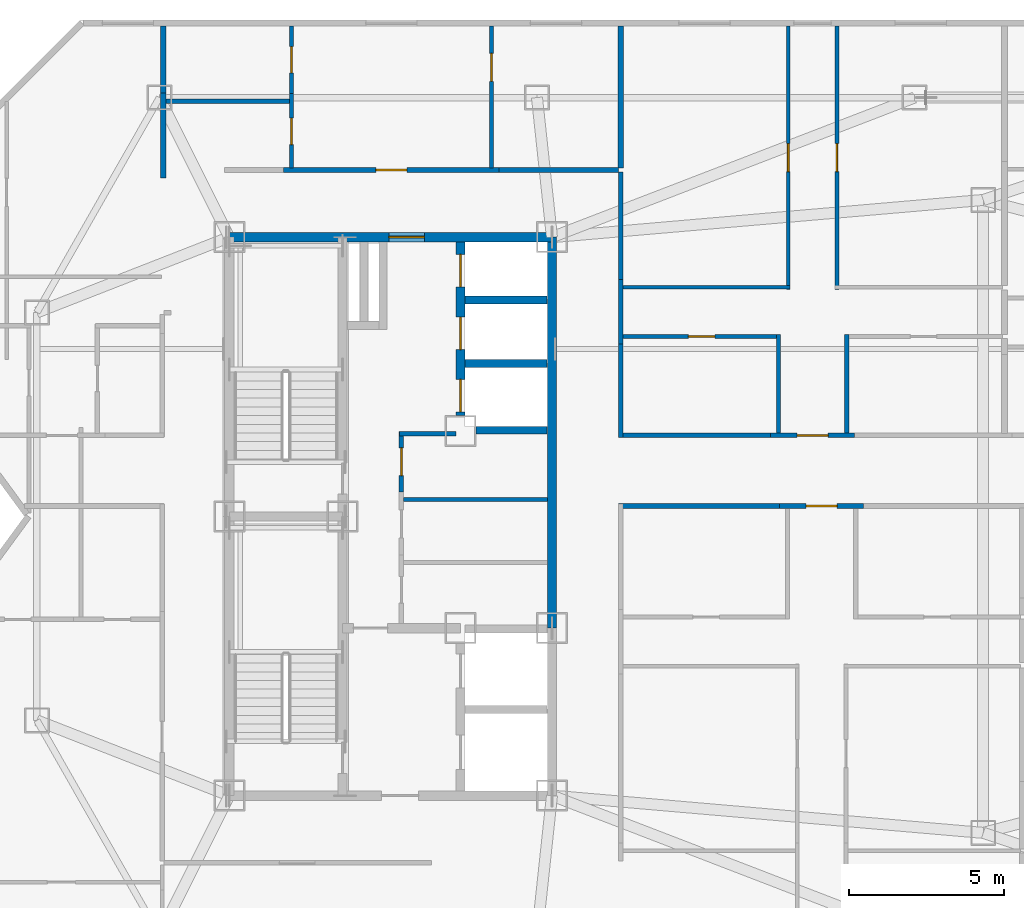
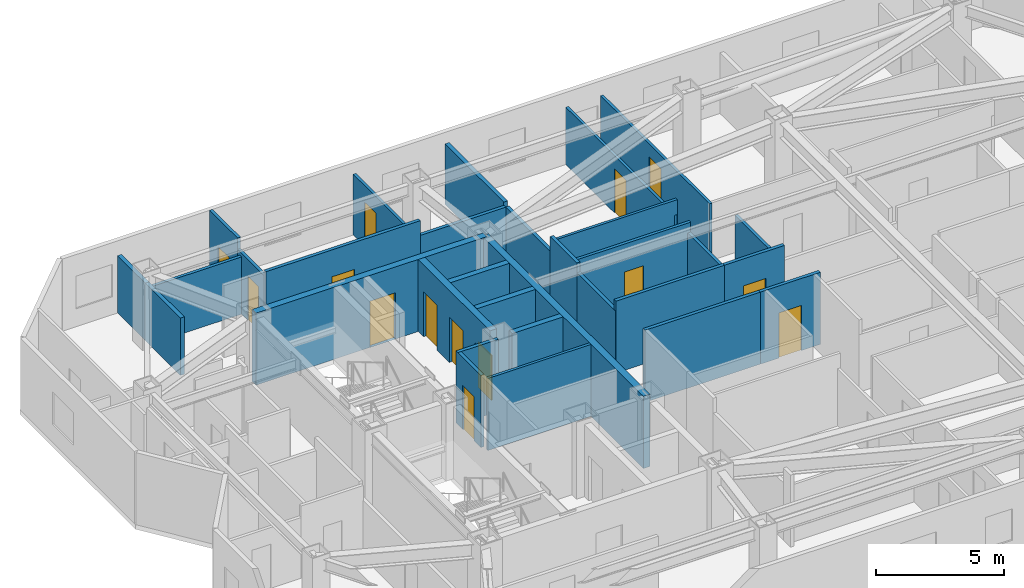
# One storey, part 6 of 10: 31 walls, 14 doors, 14 openings.
"""IFC4 building model written with IfcOpenShell, lengths in metres."""

from ifc_helpers import new_model, si_unit, direction, frame, frame_2d, origin, place, context, subcontext, project, spatial, rectangle, extrude, material, layer, layer_set, type_object, element, fill, save


model = new_model("IFC4")

# Units and contexts
model_context = context("Model", 3, precision=1e-05, world=origin(), true_north=direction((0.0, 1.0)))
body_context = subcontext(model_context, "Body", "Model", "MODEL_VIEW")
ifc_project = project(units=[si_unit("LENGTHUNIT", "METRE"), si_unit("AREAUNIT", "SQUARE_METRE"), si_unit("VOLUMEUNIT", "CUBIC_METRE"), si_unit("PLANEANGLEUNIT", "RADIAN"), si_unit("MASSUNIT", "GRAM", prefix="KILO")], contexts=[model_context])

# Site, building, storey
site_placement = place(None, origin())
site = spatial("IfcSite", under=ifc_project, at=site_placement, CompositionType="ELEMENT")
building_placement = place(site_placement, origin())
building = spatial("IfcBuilding", under=site, at=building_placement, Name="Khamvora Tower", CompositionType="ELEMENT")
storey_placement = place(building_placement, frame((0.0, 0.0, 250.050048828125)))
storey = spatial("IfcBuildingStorey", under=building, at=storey_placement, Name="L64", CompositionType="ELEMENT", Elevation=250.050048828125)

# Wall, opening, door
ifc_material_1 = material(Name="Concrete C50/60", Category="concrete")
ifc_layer_1 = layer(ifc_material_1, 0.300048828125)
ifc_layer_set_1 = layer_set([ifc_layer_1], Name="Concrete C50/60")
wall_type_1 = type_object("IfcWallType", Name="WAL-CORE-300", PredefinedType="SHEAR", material=ifc_layer_set_1)
wall_1_placement = place(storey_placement, frame((29.0, 37.0, 0.0), z_axis=(0.0, 0.0, 1.0), x_axis=(1.0, 0.0, 0.0)))
wall_1 = element("IfcWall", 1, at=wall_1_placement, inside=storey, type_object=wall_type_1, Name="L64 central core north wall", PredefinedType="SHEAR", context=body_context, shape_type="SweptSolid", body=[
    extrude(rectangle(XDim=10.39990234375, YDim=0.300048828125, at=frame_2d((5.199951171875, 0.0))), origin(), (0.0, 0.0, 1.0), 3.429931640625),
])
opening_1_placement = place(wall_1_placement, frame((5.139892578125, 0.0, 0.0)))
opening_1 = element("IfcOpeningElement", 2, at=opening_1_placement, cuts=wall_1, Name="Opening D-SC1", PredefinedType="OPENING", context=body_context, shape_type="SweptSolid", body=[
    extrude(rectangle(XDim=1.14990234375, YDim=2.199951171875, at=frame_2d((0.574951171875, 1.10009765625))), frame((0.0, 0.159912109375, 0.0), z_axis=(0.0, -1.0, 0.0), x_axis=(1.0, 0.0, 0.0)), (0.0, 0.0, 1.0), 0.320068359375),
])
ifc_material_2 = material(Name="Powder-Coated Steel and Hardwood Leaf", Category="steel")
door_type_1 = type_object("IfcDoorType", Name="DOR-SCHL-1150", OperationType="NOTDEFINED", PredefinedType="DOOR", material=ifc_material_2)
door_1_placement = place(opening_1_placement, origin())
door_1 = element("IfcDoor", 3, at=door_1_placement, inside=storey, type_object=door_type_1, Name="L64 north core lobby to corridor fire door", OperationType="SINGLE_SWING_LEFT", OverallHeight=2.199951171875, OverallWidth=1.14990234375, PredefinedType="DOOR", context=body_context, shape_type="SweptSolid", body=[
    extrude(rectangle(XDim=1.14990234375, YDim=2.199951171875, at=frame_2d((0.574951171875, 1.10009765625))), frame((0.0, 0.02490234375, 0.0), z_axis=(0.0, -1.0, 0.0), x_axis=(1.0, 0.0, 0.0)), (0.0, 0.0, 1.0), 0.050048828125),
])
fill(opening_1, door_1)

# Wall
wall_2_placement = place(storey_placement, frame((39.39990234375, 24.39990234375, 0.0), z_axis=(0.0, 0.0, 1.0), x_axis=(0.0, 1.0, 0.0)))
element("IfcWall", 4, at=wall_2_placement, inside=storey, type_object=wall_type_1, Name="L64 central core east north wall", PredefinedType="SHEAR", context=body_context, shape_type="SweptSolid", body=[
    extrude(rectangle(XDim=12.60009765625, YDim=0.300048828125, at=frame_2d((6.300048828125, 0.0))), origin(), (0.0, 0.0, 1.0), 3.429931640625),
])

# Wall, openings, doors
wall_3_placement = place(storey_placement, frame((36.449951171875, 31.25, 0.0), z_axis=(0.0, 0.0, 1.0), x_axis=(0.0, 1.0, 0.0)))
wall_3 = element("IfcWall", 5, at=wall_3_placement, inside=storey, type_object=wall_type_1, Name="L64 central core lift bank central wall", PredefinedType="SHEAR", context=body_context, shape_type="SweptSolid", body=[
    extrude(rectangle(XDim=5.595947265625, YDim=0.300048828125, at=frame_2d((2.7978515625, 0.0))), origin(), (0.0, 0.0, 1.0), 3.429931640625),
])
opening_2_placement = place(wall_3_placement, frame((0.1201171875, 0.0, 0.0)))
opening_2 = element("IfcOpeningElement", 6, at=opening_2_placement, cuts=wall_3, Name="Opening LD-PL", PredefinedType="OPENING", context=body_context, shape_type="SweptSolid", body=[
    extrude(rectangle(XDim=1.050048828125, YDim=2.14990234375, at=frame_2d((0.52490234375, 1.074951171875))), frame((0.0, 0.159912109375, 0.0), z_axis=(0.0, -1.0, 0.0), x_axis=(1.0, 0.0, 0.0)), (0.0, 0.0, 1.0), 0.320068359375),
])
opening_3_placement = place(wall_3_placement, frame((2.125, 0.0, 0.0)))
opening_3 = element("IfcOpeningElement", 7, at=opening_3_placement, cuts=wall_3, Name="Opening LD-PL", PredefinedType="OPENING", context=body_context, shape_type="SweptSolid", body=[
    extrude(rectangle(XDim=1.050048828125, YDim=2.14990234375, at=frame_2d((0.52490234375, 1.074951171875))), frame((0.0, 0.159912109375, 0.0), z_axis=(0.0, -1.0, 0.0), x_axis=(1.0, 0.0, 0.0)), (0.0, 0.0, 1.0), 0.320068359375),
])
opening_4_placement = place(wall_3_placement, frame((4.14501953125, 0.0, 0.0)))
opening_4 = element("IfcOpeningElement", 8, at=opening_4_placement, cuts=wall_3, Name="Opening LD-PL", PredefinedType="OPENING", context=body_context, shape_type="SweptSolid", body=[
    extrude(rectangle(XDim=1.050048828125, YDim=2.14990234375, at=frame_2d((0.52490234375, 1.074951171875))), frame((0.0, 0.159912109375, 0.0), z_axis=(0.0, -1.0, 0.0), x_axis=(1.0, 0.0, 0.0)), (0.0, 0.0, 1.0), 0.320068359375),
])
door_type_2 = type_object("IfcDoorType", Name="DOR-LIFT-1050", OperationType="SLIDING_TO_LEFT", PredefinedType="DOOR", material=ifc_material_2)
door_2_placement = place(opening_2_placement, origin())
door_2 = element("IfcDoor", 9, at=door_2_placement, inside=storey, type_object=door_type_2, Name="L64 lift landing sliding door PH-01", OperationType="SLIDING_TO_LEFT", OverallHeight=2.14990234375, OverallWidth=1.050048828125, PredefinedType="DOOR", context=body_context, shape_type="SweptSolid", body=[
    extrude(rectangle(XDim=1.050048828125, YDim=2.14990234375, at=frame_2d((0.52490234375, 1.074951171875))), frame((0.0, 0.02490234375, 0.0), z_axis=(0.0, -1.0, 0.0), x_axis=(1.0, 0.0, 0.0)), (0.0, 0.0, 1.0), 0.050048828125),
])
fill(opening_2, door_2)
door_3_placement = place(opening_3_placement, origin())
door_3 = element("IfcDoor", 10, at=door_3_placement, inside=storey, type_object=door_type_2, Name="L64 lift landing sliding door PH-02", OperationType="SLIDING_TO_LEFT", OverallHeight=2.14990234375, OverallWidth=1.050048828125, PredefinedType="DOOR", context=body_context, shape_type="SweptSolid", body=[
    extrude(rectangle(XDim=1.050048828125, YDim=2.14990234375, at=frame_2d((0.52490234375, 1.074951171875))), frame((0.0, 0.02490234375, 0.0), z_axis=(0.0, -1.0, 0.0), x_axis=(1.0, 0.0, 0.0)), (0.0, 0.0, 1.0), 0.050048828125),
])
fill(opening_3, door_3)
door_4_placement = place(opening_4_placement, origin())
door_4 = element("IfcDoor", 11, at=door_4_placement, inside=storey, type_object=door_type_2, Name="L64 lift landing sliding door PH-03", OperationType="SLIDING_TO_LEFT", OverallHeight=2.14990234375, OverallWidth=1.050048828125, PredefinedType="DOOR", context=body_context, shape_type="SweptSolid", body=[
    extrude(rectangle(XDim=1.050048828125, YDim=2.14990234375, at=frame_2d((0.52490234375, 1.074951171875))), frame((0.0, 0.02490234375, 0.0), z_axis=(0.0, -1.0, 0.0), x_axis=(1.0, 0.0, 0.0)), (0.0, 0.0, 1.0), 0.050048828125),
])
fill(opening_4, door_4)

# Wall
ifc_material_3 = material(Name="Fire-Rated Drywall and Steel Stud", Category="steel")
ifc_layer_2 = layer(ifc_material_3, 0.14990234375)
ifc_layer_set_2 = layer_set([ifc_layer_2], Name="Fire-Rated Drywall and Steel Stud")
wall_type_2 = type_object("IfcWallType", Name="WAL-CORR-150", PredefinedType="STANDARD", material=ifc_layer_set_2)
wall_4_placement = place(storey_placement, frame((36.300048828125, 30.6650390625, 0.0), z_axis=(0.0, 0.0, 1.0), x_axis=(-1.0, 0.0, 0.0)))
element("IfcWall", 12, at=wall_4_placement, inside=storey, type_object=wall_type_2, Name="L64 interior partition wall 003", PredefinedType="STANDARD", context=body_context, shape_type="SweptSolid", body=[
    extrude(rectangle(XDim=1.820068359375, YDim=0.14990234375, at=frame_2d((0.91015625, 0.0))), origin(), (0.0, 0.0, 1.0), 3.429931640625),
])

# Wall, opening, door
wall_5_placement = place(storey_placement, frame((34.544921875, 30.72998046875, 0.0), z_axis=(0.0, 0.0, 1.0), x_axis=(0.0, -1.0, 0.0)))
wall_5 = element("IfcWall", 13, at=wall_5_placement, inside=storey, type_object=wall_type_2, Name="L64 interior partition wall 004", PredefinedType="STANDARD", context=body_context, shape_type="SweptSolid", body=[
    extrude(rectangle(XDim=1.93603515625, YDim=0.14990234375, at=frame_2d((0.968017578125, 0.0))), origin(), (0.0, 0.0, 1.0), 3.429931640625),
])
opening_5_placement = place(wall_5_placement, frame((0.51806640625, 0.0, 0.0)))
opening_5 = element("IfcOpeningElement", 14, at=opening_5_placement, cuts=wall_5, Name="Opening D-RM1", PredefinedType="OPENING", context=body_context, shape_type="SweptSolid", body=[
    extrude(rectangle(XDim=0.89990234375, YDim=2.10009765625, at=frame_2d((0.449951171875, 1.050048828125))), frame((0.0, 0.0849609375, 0.0), z_axis=(0.0, -1.0, 0.0), x_axis=(1.0, 0.0, 0.0)), (0.0, 0.0, 1.0), 0.169921875),
])
door_type_3 = type_object("IfcDoorType", Name="DOR-ROOM-900", OperationType="NOTDEFINED", PredefinedType="DOOR", material=ifc_material_2)
door_5_placement = place(opening_5_placement, origin())
door_5 = element("IfcDoor", 15, at=door_5_placement, inside=storey, type_object=door_type_3, Name="L64 interior door PHL-CS3", OperationType="SINGLE_SWING_RIGHT", OverallHeight=2.10009765625, OverallWidth=0.89990234375, PredefinedType="DOOR", context=body_context, shape_type="SweptSolid", body=[
    extrude(rectangle(XDim=0.89990234375, YDim=2.10009765625, at=frame_2d((0.449951171875, 1.050048828125))), frame((0.0, 0.02490234375, 0.0), z_axis=(0.0, -1.0, 0.0), x_axis=(1.0, 0.0, 0.0)), (0.0, 0.0, 1.0), 0.050048828125),
])
fill(opening_5, door_5)

wall_6_placement = place(storey_placement, frame((30.7509765625, 39.1650390625, 0.0), z_axis=(0.0, 0.0, 1.0), x_axis=(1.0, 0.0, 0.0)))
wall_6 = element("IfcWall", 16, at=wall_6_placement, inside=storey, type_object=wall_type_2, Name="L64 interior partition wall 016", PredefinedType="STANDARD", context=body_context, shape_type="SweptSolid", body=[
    extrude(rectangle(XDim=6.947998046875, YDim=0.14990234375, at=frame_2d((3.47412109375, 0.0))), origin(), (0.0, 0.0, 1.0), 3.429931640625),
])
opening_6_placement = place(wall_6_placement, frame((2.97412109375, 0.0, 0.0)))
opening_6 = element("IfcOpeningElement", 17, at=opening_6_placement, cuts=wall_6, Name="Opening D-U1", PredefinedType="OPENING", context=body_context, shape_type="SweptSolid", body=[
    extrude(rectangle(XDim=1.0, YDim=2.14990234375, at=frame_2d((0.5, 1.074951171875))), frame((0.0, 0.0849609375, 0.0), z_axis=(0.0, -1.0, 0.0), x_axis=(1.0, 0.0, 0.0)), (0.0, 0.0, 1.0), 0.169921875),
])
door_type_4 = type_object("IfcDoorType", Name="DOR-UNIT-1000", OperationType="NOTDEFINED", PredefinedType="DOOR", material=ifc_material_2)
door_6_placement = place(opening_6_placement, origin())
door_6 = element("IfcDoor", 18, at=door_6_placement, inside=storey, type_object=door_type_4, Name="L64 interior door COR-64NAH", OperationType="SINGLE_SWING_RIGHT", OverallHeight=2.14990234375, OverallWidth=1.0, PredefinedType="DOOR", context=body_context, shape_type="SweptSolid", body=[
    extrude(rectangle(XDim=1.0, YDim=2.14990234375, at=frame_2d((0.5, 1.074951171875))), frame((0.0, 0.02490234375, 0.0), z_axis=(0.0, -1.0, 0.0), x_axis=(1.0, 0.0, 0.0)), (0.0, 0.0, 1.0), 0.050048828125),
])
fill(opening_6, door_6)

# Wall
wall_7_placement = place(storey_placement, frame((37.698974609375, 39.1650390625, 0.0), z_axis=(0.0, 0.0, 1.0), x_axis=(1.0, 0.0, 0.0)))
element("IfcWall", 19, at=wall_7_placement, inside=storey, type_object=wall_type_2, Name="L64 interior partition wall 018", PredefinedType="STANDARD", context=body_context, shape_type="SweptSolid", body=[
    extrude(rectangle(XDim=3.85107421875, YDim=0.14990234375, at=frame_2d((1.925537109375, 0.0))), origin(), (0.0, 0.0, 1.0), 2.724853515625),
])

# Wall, opening, door
wall_8_placement = place(storey_placement, frame((49.43896484375, 28.3349609375, 0.0), z_axis=(0.0, 0.0, 1.0), x_axis=(-1.0, 0.0, 0.0)))
wall_8 = element("IfcWall", 20, at=wall_8_placement, inside=storey, type_object=wall_type_2, Name="L64 interior partition wall 019", PredefinedType="STANDARD", context=body_context, shape_type="SweptSolid", body=[
    extrude(rectangle(XDim=2.697998046875, YDim=0.14990234375, at=frame_2d((1.34912109375, 0.0))), origin(), (0.0, 0.0, 1.0), 3.429931640625),
])
opening_7_placement = place(wall_8_placement, frame((0.84912109375, 0.0, 0.0)))
opening_7 = element("IfcOpeningElement", 21, at=opening_7_placement, cuts=wall_8, Name="Opening D-U1", PredefinedType="OPENING", context=body_context, shape_type="SweptSolid", body=[
    extrude(rectangle(XDim=1.0, YDim=2.14990234375, at=frame_2d((0.5, 1.074951171875))), frame((0.0, 0.0849609375, 0.0), z_axis=(0.0, -1.0, 0.0), x_axis=(1.0, 0.0, 0.0)), (0.0, 0.0, 1.0), 0.169921875),
])
door_7_placement = place(opening_7_placement, origin())
door_7 = element("IfcDoor", 22, at=door_7_placement, inside=storey, type_object=door_type_4, Name="L64 interior door COR-64EA1H", OperationType="SINGLE_SWING_LEFT", OverallHeight=2.14990234375, OverallWidth=1.0, PredefinedType="DOOR", context=body_context, shape_type="SweptSolid", body=[
    extrude(rectangle(XDim=1.0, YDim=2.14990234375, at=frame_2d((0.5, 1.074951171875))), frame((0.0, 0.02490234375, 0.0), z_axis=(0.0, -1.0, 0.0), x_axis=(1.0, 0.0, 0.0)), (0.0, 0.0, 1.0), 0.050048828125),
])
fill(opening_7, door_7)

# Walls
wall_9_placement = place(storey_placement, frame((46.740966796875, 28.3349609375, 0.0), z_axis=(0.0, 0.0, 1.0), x_axis=(-1.0, 0.0, 0.0)))
element("IfcWall", 23, at=wall_9_placement, inside=storey, type_object=wall_type_2, Name="L64 interior partition wall 021", PredefinedType="STANDARD", context=body_context, shape_type="SweptSolid", body=[
    extrude(rectangle(XDim=5.19091796875, YDim=0.14990234375, at=frame_2d((2.595458984375, 0.0))), origin(), (0.0, 0.0, 1.0), 3.429931640625),
])
wall_10_placement = place(storey_placement, frame((41.614990234375, 35.632080078125, 0.0), z_axis=(0.0, 0.0, 1.0), x_axis=(0.0, -1.0, 0.0)))
element("IfcWall", 24, at=wall_10_placement, inside=storey, type_object=wall_type_2, Name="L64 interior partition wall 029", PredefinedType="STANDARD", context=body_context, shape_type="SweptSolid", body=[
    extrude(rectangle(XDim=2.078125, YDim=0.14990234375, at=frame_2d((1.0390625, 0.0))), origin(), (0.0, 0.0, 1.0), 3.429931640625),
])

# Wall, opening, door
wall_11_placement = place(storey_placement, frame((46.450927734375, 30.614990234375, 0.0), z_axis=(0.0, 0.0, 1.0), x_axis=(1.0, 0.0, 0.0)))
wall_11 = element("IfcWall", 25, at=wall_11_placement, inside=storey, type_object=wall_type_2, Name="L64 interior partition wall 030", PredefinedType="STANDARD", context=body_context, shape_type="SweptSolid", body=[
    extrude(rectangle(XDim=2.697998046875, YDim=0.14990234375, at=frame_2d((1.34912109375, 0.0))), origin(), (0.0, 0.0, 1.0), 3.429931640625),
])
opening_8_placement = place(wall_11_placement, frame((0.84912109375, 0.0, 0.0)))
opening_8 = element("IfcOpeningElement", 26, at=opening_8_placement, cuts=wall_11, Name="Opening D-U1", PredefinedType="OPENING", context=body_context, shape_type="SweptSolid", body=[
    extrude(rectangle(XDim=1.0, YDim=2.14990234375, at=frame_2d((0.5, 1.074951171875))), frame((0.0, 0.0849609375, 0.0), z_axis=(0.0, -1.0, 0.0), x_axis=(1.0, 0.0, 0.0)), (0.0, 0.0, 1.0), 0.169921875),
])
door_8_placement = place(opening_8_placement, origin())
door_8 = element("IfcDoor", 27, at=door_8_placement, inside=storey, type_object=door_type_4, Name="L64 interior door COR-64EBH", OperationType="SINGLE_SWING_LEFT", OverallHeight=2.14990234375, OverallWidth=1.0, PredefinedType="DOOR", context=body_context, shape_type="SweptSolid", body=[
    extrude(rectangle(XDim=1.0, YDim=2.14990234375, at=frame_2d((0.5, 1.074951171875))), frame((0.0, 0.02490234375, 0.0), z_axis=(0.0, -1.0, 0.0), x_axis=(1.0, 0.0, 0.0)), (0.0, 0.0, 1.0), 0.050048828125),
])
fill(opening_8, door_8)

# Walls
wall_12_placement = place(storey_placement, frame((41.614990234375, 33.553955078125, 0.0), z_axis=(0.0, 0.0, 1.0), x_axis=(0.0, -1.0, 0.0)))
element("IfcWall", 28, at=wall_12_placement, inside=storey, type_object=wall_type_2, Name="L64 interior partition wall 031", PredefinedType="STANDARD", context=body_context, shape_type="SweptSolid", body=[
    extrude(rectangle(XDim=3.00390625, YDim=0.14990234375, at=frame_2d((1.501953125, 0.0))), origin(), (0.0, 0.0, 1.0), 2.9609375),
])
wall_13_placement = place(storey_placement, frame((41.550048828125, 30.614990234375, 0.0), z_axis=(0.0, 0.0, 1.0), x_axis=(1.0, 0.0, 0.0)))
element("IfcWall", 29, at=wall_13_placement, inside=storey, type_object=wall_type_2, Name="L64 interior partition wall 032", PredefinedType="STANDARD", context=body_context, shape_type="SweptSolid", body=[
    extrude(rectangle(XDim=4.90087890625, YDim=0.14990234375, at=frame_2d((2.450439453125, 0.0))), origin(), (0.0, 0.0, 1.0), 3.429931640625),
])
wall_14_placement = place(storey_placement, frame((41.614990234375, 39.10009765625, 0.0), z_axis=(0.0, 0.0, 1.0), x_axis=(0.0, -1.0, 0.0)))
element("IfcWall", 30, at=wall_14_placement, inside=storey, type_object=wall_type_2, Name="L64 interior partition wall 034", PredefinedType="STANDARD", context=body_context, shape_type="SweptSolid", body=[
    extrude(rectangle(XDim=3.468017578125, YDim=0.14990234375, at=frame_2d((1.73388671875, 0.0))), origin(), (0.0, 0.0, 1.0), 2.724853515625),
])
ifc_material_4 = material(Name="Acoustic Double-Stud Fire Wall", Category="gypsum")
ifc_layer_3 = layer(ifc_material_4, 0.179931640625)
ifc_layer_set_3 = layer_set([ifc_layer_3], Name="Acoustic Double-Stud Fire Wall")
wall_type_3 = type_object("IfcWallType", Name="WAL-CORR-180", PredefinedType="STANDARD", material=ifc_layer_set_3)
wall_15_placement = place(storey_placement, frame((26.875, 41.64306640625, 0.0), z_axis=(0.0, 0.0, 1.0), x_axis=(0.0, -1.0, 0.0)))
element("IfcWall", 31, at=wall_15_placement, inside=storey, type_object=wall_type_3, Name="L64 interior partition wall 051", PredefinedType="STANDARD", context=body_context, shape_type="SweptSolid", body=[
    extrude(rectangle(XDim=2.740966796875, YDim=0.179931640625, at=frame_2d((1.37060546875, 0.0))), origin(), (0.0, 0.0, 1.0), 2.724853515625),
])
wall_16_placement = place(storey_placement, frame((26.875, 43.80810546875, 0.0), z_axis=(0.0, 0.0, 1.0), x_axis=(0.0, -1.0, 0.0)))
element("IfcWall", 32, at=wall_16_placement, inside=storey, type_object=wall_type_3, Name="L64 interior partition wall 052", PredefinedType="STANDARD", context=body_context, shape_type="SweptSolid", body=[
    extrude(rectangle(XDim=2.1650390625, YDim=0.179931640625, at=frame_2d((1.08251953125, 0.0))), origin(), (0.0, 0.0, 1.0), 2.724853515625),
])
wall_17_placement = place(storey_placement, frame((41.614990234375, 43.80810546875, 0.0), z_axis=(0.0, 0.0, 1.0), x_axis=(0.0, -1.0, 0.0)))
element("IfcWall", 33, at=wall_17_placement, inside=storey, type_object=wall_type_3, Name="L64 interior partition wall 057", PredefinedType="STANDARD", context=body_context, shape_type="SweptSolid", body=[
    extrude(rectangle(XDim=4.578125, YDim=0.179931640625, at=frame_2d((2.2890625, 0.0))), origin(), (0.0, 0.0, 1.0), 2.886962890625),
])
ifc_material_5 = material(Name="Gypsum Plasterboard Partition", Category="gypsum")
ifc_layer_4 = layer(ifc_material_5, 0.1201171875)
ifc_layer_set_4 = layer_set([ifc_layer_4], Name="Gypsum Plasterboard Partition")
wall_type_4 = type_object("IfcWallType", Name="WAL-PART-120", PredefinedType="PARTITIONING", material=ifc_layer_set_4)
wall_18_placement = place(storey_placement, frame((34.612060546875, 28.544921875, 0.0), z_axis=(0.0, 0.0, 1.0), x_axis=(1.0, 0.0, 0.0)))
element("IfcWall", 34, at=wall_18_placement, inside=storey, type_object=wall_type_4, Name="L64 interior partition wall 006", PredefinedType="PARTITIONING", context=body_context, shape_type="SweptSolid", body=[
    extrude(rectangle(XDim=4.64404296875, YDim=0.1201171875, at=frame_2d((2.322021484375, 0.0))), origin(), (0.0, 0.0, 1.0), 3.429931640625),
])

# Wall, opening, door
wall_19_placement = place(storey_placement, frame((37.449951171875, 43.80810546875, 0.0), z_axis=(0.0, 0.0, 1.0), x_axis=(0.0, -1.0, 0.0)))
wall_19 = element("IfcWall", 35, at=wall_19_placement, inside=storey, type_object=wall_type_4, Name="L64 interior partition wall 055", PredefinedType="PARTITIONING", context=body_context, shape_type="SweptSolid", body=[
    extrude(rectangle(XDim=4.576171875, YDim=0.1201171875, at=frame_2d((2.2880859375, 0.0))), origin(), (0.0, 0.0, 1.0), 2.886962890625),
])
opening_9_placement = place(wall_19_placement, frame((0.884033203125, 0.0, 0.0)))
opening_9 = element("IfcOpeningElement", 36, at=opening_9_placement, cuts=wall_19, Name="Opening D-RM1", PredefinedType="OPENING", context=body_context, shape_type="SweptSolid", body=[
    extrude(rectangle(XDim=0.89990234375, YDim=2.10009765625, at=frame_2d((0.449951171875, 1.050048828125))), frame((0.0, 0.070068359375, 0.0), z_axis=(0.0, -1.0, 0.0), x_axis=(1.0, 0.0, 0.0)), (0.0, 0.0, 1.0), 0.14013671875),
])
door_9_placement = place(opening_9_placement, origin())
door_9 = element("IfcDoor", 37, at=door_9_placement, inside=storey, type_object=door_type_3, Name="L64 interior door 64NAH-64NAR1", OperationType="SINGLE_SWING_RIGHT", OverallHeight=2.10009765625, OverallWidth=0.89990234375, PredefinedType="DOOR", context=body_context, shape_type="SweptSolid", body=[
    extrude(rectangle(XDim=0.89990234375, YDim=2.10009765625, at=frame_2d((0.449951171875, 1.050048828125))), frame((0.0, 0.02490234375, 0.0), z_axis=(0.0, -1.0, 0.0), x_axis=(1.0, 0.0, 0.0)), (0.0, 0.0, 1.0), 0.050048828125),
])
fill(opening_9, door_9)

# Wall
wall_20_placement = place(storey_placement, frame((41.681884765625, 35.383056640625, 0.0), z_axis=(0.0, 0.0, 1.0), x_axis=(1.0, 0.0, 0.0)))
element("IfcWall", 38, at=wall_20_placement, inside=storey, type_object=wall_type_4, Name="L64 interior partition wall 092", PredefinedType="PARTITIONING", context=body_context, shape_type="SweptSolid", body=[
    extrude(rectangle(XDim=5.398193359375, YDim=0.1201171875, at=frame_2d((2.69921875, 0.0))), origin(), (0.0, 0.0, 1.0), 3.429931640625),
])

# Wall, opening, door
wall_21_placement = place(storey_placement, frame((47.014892578125, 35.318115234375, 0.0), z_axis=(0.0, 0.0, 1.0), x_axis=(0.0, 1.0, 0.0)))
wall_21 = element("IfcWall", 39, at=wall_21_placement, inside=storey, type_object=wall_type_4, Name="L64 interior partition wall 093", PredefinedType="PARTITIONING", context=body_context, shape_type="SweptSolid", body=[
    extrude(rectangle(XDim=8.489990234375, YDim=0.1201171875, at=frame_2d((4.2451171875, 0.0))), origin(), (0.0, 0.0, 1.0), 2.724853515625),
])
opening_10_placement = place(wall_21_placement, frame((3.794921875, 0.0, 0.0)))
opening_10 = element("IfcOpeningElement", 40, at=opening_10_placement, cuts=wall_21, Name="Opening D-RM1", PredefinedType="OPENING", context=body_context, shape_type="SweptSolid", body=[
    extrude(rectangle(XDim=0.89990234375, YDim=2.10009765625, at=frame_2d((0.449951171875, 1.050048828125))), frame((0.0, 0.070068359375, 0.0), z_axis=(0.0, -1.0, 0.0), x_axis=(1.0, 0.0, 0.0)), (0.0, 0.0, 1.0), 0.14013671875),
])
door_10_placement = place(opening_10_placement, origin())
door_10 = element("IfcDoor", 41, at=door_10_placement, inside=storey, type_object=door_type_3, Name="L64 interior door 64EBH-64EBR1", OperationType="SINGLE_SWING_LEFT", OverallHeight=2.10009765625, OverallWidth=0.89990234375, PredefinedType="DOOR", context=body_context, shape_type="SweptSolid", body=[
    extrude(rectangle(XDim=0.89990234375, YDim=2.10009765625, at=frame_2d((0.449951171875, 1.050048828125))), frame((0.0, 0.02490234375, 0.0), z_axis=(0.0, -1.0, 0.0), x_axis=(1.0, 0.0, 0.0)), (0.0, 0.0, 1.0), 0.050048828125),
])
fill(opening_10, door_10)

wall_22_placement = place(storey_placement, frame((48.5849609375, 43.80810546875, 0.0), z_axis=(0.0, 0.0, 1.0), x_axis=(0.0, -1.0, 0.0)))
wall_22 = element("IfcWall", 42, at=wall_22_placement, inside=storey, type_object=wall_type_4, Name="L64 interior partition wall 094", PredefinedType="PARTITIONING", context=body_context, shape_type="SweptSolid", body=[
    extrude(rectangle(XDim=8.489990234375, YDim=0.1201171875, at=frame_2d((4.2451171875, 0.0))), origin(), (0.0, 0.0, 1.0), 2.724853515625),
])
opening_11_placement = place(wall_22_placement, frame((3.794921875, 0.0, 0.0)))
opening_11 = element("IfcOpeningElement", 43, at=opening_11_placement, cuts=wall_22, Name="Opening D-RM1", PredefinedType="OPENING", context=body_context, shape_type="SweptSolid", body=[
    extrude(rectangle(XDim=0.89990234375, YDim=2.10009765625, at=frame_2d((0.449951171875, 1.050048828125))), frame((0.0, 0.070068359375, 0.0), z_axis=(0.0, -1.0, 0.0), x_axis=(1.0, 0.0, 0.0)), (0.0, 0.0, 1.0), 0.14013671875),
])
door_11_placement = place(opening_11_placement, origin())
door_11 = element("IfcDoor", 44, at=door_11_placement, inside=storey, type_object=door_type_3, Name="L64 interior door 64EBH-64EBR2", OperationType="SINGLE_SWING_RIGHT", OverallHeight=2.10009765625, OverallWidth=0.89990234375, PredefinedType="DOOR", context=body_context, shape_type="SweptSolid", body=[
    extrude(rectangle(XDim=0.89990234375, YDim=2.10009765625, at=frame_2d((0.449951171875, 1.050048828125))), frame((0.0, 0.02490234375, 0.0), z_axis=(0.0, -1.0, 0.0), x_axis=(1.0, 0.0, 0.0)), (0.0, 0.0, 1.0), 0.050048828125),
])
fill(opening_11, door_11)

# Walls
ifc_material_6 = material(Name="Concrete C40/50", Category="concrete")
ifc_layer_5 = layer(ifc_material_6, 0.25)
ifc_layer_set_5 = layer_set([ifc_layer_5], Name="Concrete C40/50")
wall_type_5 = type_object("IfcWallType", Name="WAL-PODS-250", PredefinedType="SHEAR", material=ifc_layer_set_5)
wall_23_placement = place(storey_placement, frame((36.9541015625, 30.77490234375, 0.0), z_axis=(0.0, 0.0, 1.0), x_axis=(1.0, 0.0, 0.0)))
element("IfcWall", 45, at=wall_23_placement, inside=storey, type_object=wall_type_5, Name="L64 high-rise lift shaft south enclosure wall PH-01", PredefinedType="SHEAR", context=body_context, shape_type="SweptSolid", body=[
    extrude(rectangle(XDim=2.2919921875, YDim=0.25, at=frame_2d((1.14599609375, 0.0))), origin(), (0.0, 0.0, 1.0), 3.429931640625),
])
for number, where, z_axis, x_axis, name in (
    (46, (36.60400390625, 32.925048828125, 0.0), (0.0, 0.0, 1.0), (1.0, 0.0, 0.0), "L64 lift shaft divider wall PH-01"),
    (47, (36.60400390625, 34.97509765625, 0.0), (0.0, 0.0, 1.0), (1.0, 0.0, 0.0), "L64 lift shaft divider wall PH-02"),
):
    element("IfcWall", number, at=place(storey_placement, frame(where, z_axis=z_axis, x_axis=x_axis)), inside=storey, type_object=wall_type_5, Name=name, PredefinedType="SHEAR", context=body_context, shape_type="SweptSolid", body=[
        extrude(rectangle(XDim=2.64208984375, YDim=0.25, at=frame_2d((1.321044921875, 0.0))), origin(), (0.0, 0.0, 1.0), 3.429931640625),
    ])

# Wall, opening, door
ifc_material_7 = material(Name="Moisture-Resistant Plasterboard Partition", Category="gypsum")
ifc_layer_6 = layer(ifc_material_7, 0.135009765625)
ifc_layer_set_6 = layer_set([ifc_layer_6], Name="Moisture-Resistant Plasterboard Partition")
wall_type_6 = type_object("IfcWallType", Name="WAL-WET-135", PredefinedType="PARTITIONING", material=ifc_layer_set_6)
wall_24_placement = place(storey_placement, frame((31.0, 39.23193359375, 0.0), z_axis=(0.0, 0.0, 1.0), x_axis=(0.0, 1.0, 0.0)))
wall_24 = element("IfcWall", 48, at=wall_24_placement, inside=storey, type_object=wall_type_6, Name="L64 interior partition wall 053", PredefinedType="PARTITIONING", context=body_context, shape_type="SweptSolid", body=[
    extrude(rectangle(XDim=2.39697265625, YDim=0.135009765625, at=frame_2d((1.198486328125, 0.0))), origin(), (0.0, 0.0, 1.0), 2.886962890625),
])
opening_12_placement = place(wall_24_placement, frame((0.751953125, 0.0, 0.0)))
opening_12 = element("IfcOpeningElement", 49, at=opening_12_placement, cuts=wall_24, Name="Opening D-WC1", PredefinedType="OPENING", context=body_context, shape_type="SweptSolid", body=[
    extrude(rectangle(XDim=0.85009765625, YDim=2.10009765625, at=frame_2d((0.425048828125, 1.050048828125))), frame((0.0, 0.077392578125, 0.0), z_axis=(0.0, -1.0, 0.0), x_axis=(1.0, 0.0, 0.0)), (0.0, 0.0, 1.0), 0.155029296875),
])
door_type_5 = type_object("IfcDoorType", Name="DOR-WET-850", OperationType="NOTDEFINED", PredefinedType="DOOR", material=ifc_material_2)
door_12_placement = place(opening_12_placement, origin())
door_12 = element("IfcDoor", 50, at=door_12_placement, inside=storey, type_object=door_type_5, Name="L64 interior door 64NAH-64NAB", OperationType="SINGLE_SWING_LEFT", OverallHeight=2.10009765625, OverallWidth=0.85009765625, PredefinedType="DOOR", context=body_context, shape_type="SweptSolid", body=[
    extrude(rectangle(XDim=0.85009765625, YDim=2.10009765625, at=frame_2d((0.425048828125, 1.050048828125))), frame((0.0, 0.02490234375, 0.0), z_axis=(0.0, -1.0, 0.0), x_axis=(1.0, 0.0, 0.0)), (0.0, 0.0, 1.0), 0.050048828125),
])
fill(opening_12, door_12)

wall_25_placement = place(storey_placement, frame((31.0, 41.62890625, 0.0), z_axis=(0.0, 0.0, 1.0), x_axis=(0.0, 1.0, 0.0)))
wall_25 = element("IfcWall", 51, at=wall_25_placement, inside=storey, type_object=wall_type_6, Name="L64 interior partition wall 054", PredefinedType="PARTITIONING", context=body_context, shape_type="SweptSolid", body=[
    extrude(rectangle(XDim=2.17919921875, YDim=0.135009765625, at=frame_2d((1.089599609375, 0.0))), origin(), (0.0, 0.0, 1.0), 3.429931640625),
])
opening_13_placement = place(wall_25_placement, frame((0.6640625, 0.0, 0.0)))
opening_13 = element("IfcOpeningElement", 52, at=opening_13_placement, cuts=wall_25, Name="Opening D-RM2", PredefinedType="OPENING", context=body_context, shape_type="SweptSolid", body=[
    extrude(rectangle(XDim=0.85009765625, YDim=2.10009765625, at=frame_2d((0.425048828125, 1.050048828125))), frame((0.0, 0.077392578125, 0.0), z_axis=(0.0, -1.0, 0.0), x_axis=(1.0, 0.0, 0.0)), (0.0, 0.0, 1.0), 0.155029296875),
])
door_type_6 = type_object("IfcDoorType", Name="DOR-ROOM-850", OperationType="NOTDEFINED", PredefinedType="DOOR", material=ifc_material_2)
door_13_placement = place(opening_13_placement, origin())
door_13 = element("IfcDoor", 53, at=door_13_placement, inside=storey, type_object=door_type_6, Name="L64 interior door 64NAH-64NAK", OperationType="SINGLE_SWING_RIGHT", OverallHeight=2.10009765625, OverallWidth=0.85009765625, PredefinedType="DOOR", context=body_context, shape_type="SweptSolid", body=[
    extrude(rectangle(XDim=0.85009765625, YDim=2.10009765625, at=frame_2d((0.425048828125, 1.050048828125))), frame((0.0, 0.02490234375, 0.0), z_axis=(0.0, -1.0, 0.0), x_axis=(1.0, 0.0, 0.0)), (0.0, 0.0, 1.0), 0.050048828125),
])
fill(opening_13, door_13)

# Walls
wall_26_placement = place(storey_placement, frame((26.95703125, 41.3798828125, 0.0), z_axis=(0.0, 0.0, 1.0), x_axis=(1.0, 0.0, 0.0)))
element("IfcWall", 54, at=wall_26_placement, inside=storey, type_object=wall_type_6, Name="L64 interior partition wall 056", PredefinedType="PARTITIONING", context=body_context, shape_type="SweptSolid", body=[
    extrude(rectangle(XDim=3.98193359375, YDim=0.135009765625, at=frame_2d((1.990966796875, 0.0))), origin(), (0.0, 0.0, 1.0), 2.724853515625),
])
wall_27_placement = place(storey_placement, frame((46.699951171875, 30.679931640625, 0.0), z_axis=(0.0, 0.0, 1.0), x_axis=(0.0, 1.0, 0.0)))
element("IfcWall", 55, at=wall_27_placement, inside=storey, type_object=wall_type_6, Name="L64 interior partition wall 088", PredefinedType="PARTITIONING", context=body_context, shape_type="SweptSolid", body=[
    extrude(rectangle(XDim=3.18798828125, YDim=0.135009765625, at=frame_2d((1.593994140625, 0.0))), origin(), (0.0, 0.0, 1.0), 2.9609375),
])

# Wall, opening, door
wall_28_placement = place(storey_placement, frame((46.764892578125, 33.802978515625, 0.0), z_axis=(0.0, 0.0, 1.0), x_axis=(-1.0, 0.0, 0.0)))
wall_28 = element("IfcWall", 56, at=wall_28_placement, inside=storey, type_object=wall_type_6, Name="L64 interior partition wall 089", PredefinedType="PARTITIONING", context=body_context, shape_type="SweptSolid", body=[
    extrude(rectangle(XDim=5.0830078125, YDim=0.135009765625, at=frame_2d((2.54150390625, 0.0))), origin(), (0.0, 0.0, 1.0), 3.429931640625),
])
opening_14_placement = place(wall_28_placement, frame((2.116943359375, 0.0, 0.0)))
opening_14 = element("IfcOpeningElement", 57, at=opening_14_placement, cuts=wall_28, Name="Opening D-WC1", PredefinedType="OPENING", context=body_context, shape_type="SweptSolid", body=[
    extrude(rectangle(XDim=0.85009765625, YDim=2.10009765625, at=frame_2d((0.425048828125, 1.050048828125))), frame((0.0, 0.077392578125, 0.0), z_axis=(0.0, -1.0, 0.0), x_axis=(1.0, 0.0, 0.0)), (0.0, 0.0, 1.0), 0.155029296875),
])
door_14_placement = place(opening_14_placement, origin())
door_14 = element("IfcDoor", 58, at=door_14_placement, inside=storey, type_object=door_type_5, Name="L64 interior door 64EBH-64EBB", OperationType="SINGLE_SWING_LEFT", OverallHeight=2.10009765625, OverallWidth=0.85009765625, PredefinedType="DOOR", context=body_context, shape_type="SweptSolid", body=[
    extrude(rectangle(XDim=0.85009765625, YDim=2.10009765625, at=frame_2d((0.425048828125, 1.050048828125))), frame((0.0, 0.02490234375, 0.0), z_axis=(0.0, -1.0, 0.0), x_axis=(1.0, 0.0, 0.0)), (0.0, 0.0, 1.0), 0.050048828125),
])
fill(opening_14, door_14)

# Wall
wall_29_placement = place(storey_placement, frame((48.89990234375, 33.867919921875, 0.0), z_axis=(0.0, 0.0, 1.0), x_axis=(0.0, -1.0, 0.0)))
element("IfcWall", 59, at=wall_29_placement, inside=storey, type_object=wall_type_6, Name="L64 interior partition wall 091", PredefinedType="PARTITIONING", context=body_context, shape_type="SweptSolid", body=[
    extrude(rectangle(XDim=3.18798828125, YDim=0.135009765625, at=frame_2d((1.593994140625, 0.0))), origin(), (0.0, 0.0, 1.0), 2.9609375),
])

save(model, "model.ifc")
